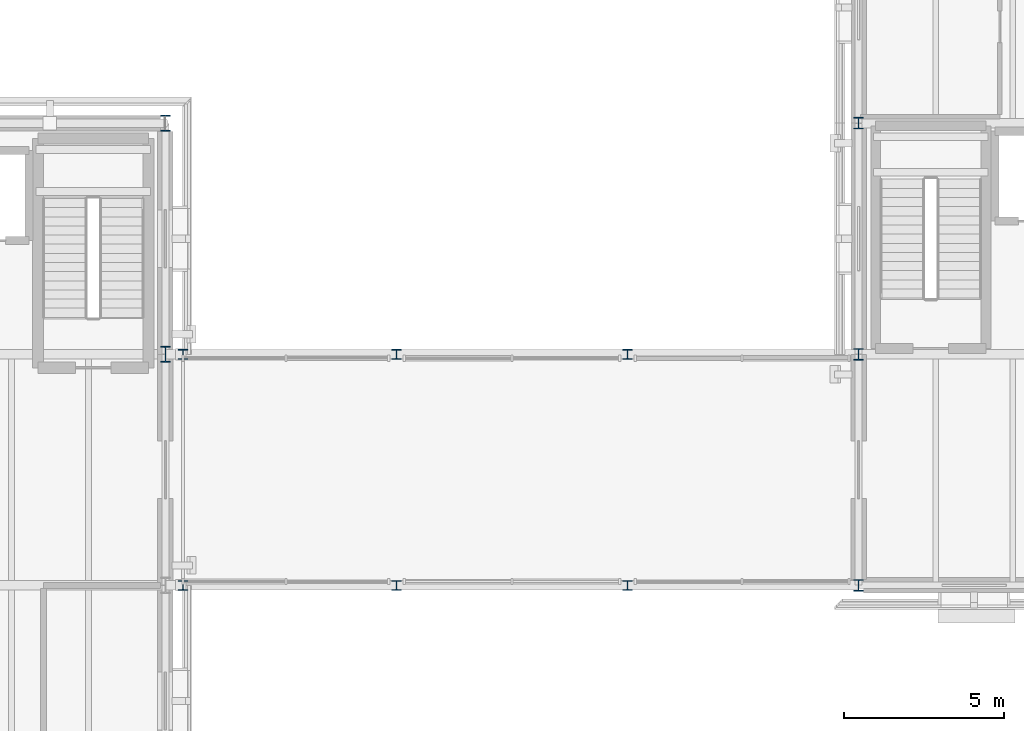
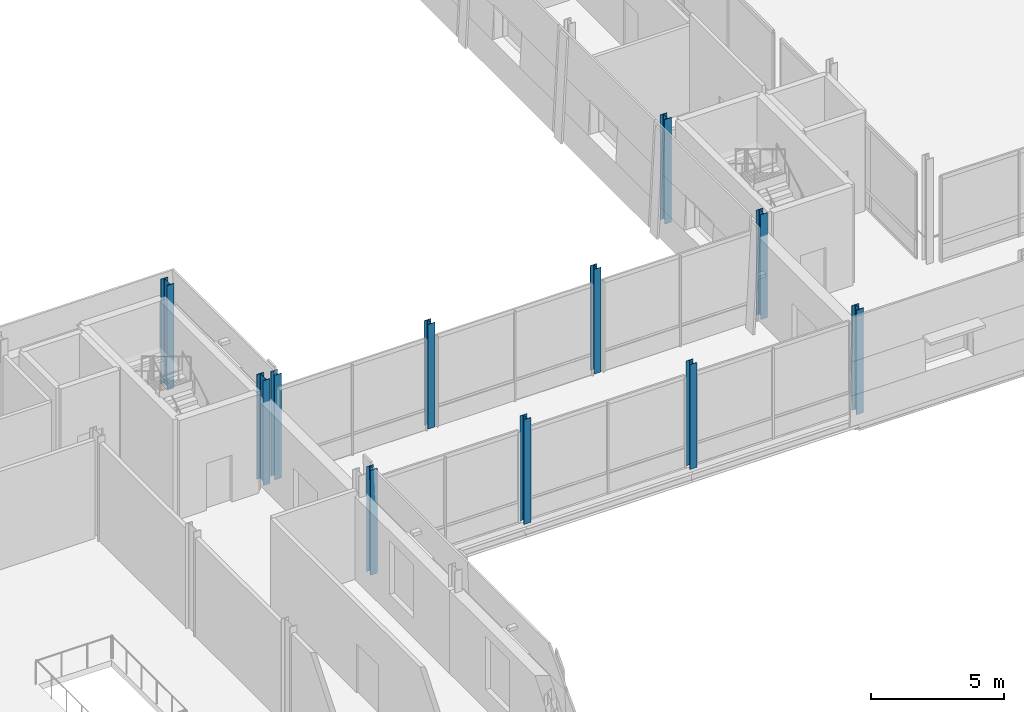
# One storey, part 13 of 121: 11 columns.
"""IFC4 building model written with IfcOpenShell, lengths in metres."""

import ifcopenshell
import ifcopenshell.guid

model = None  # the IFC model being written
_history = None  # IfcOwnerHistory: only IFC2X3 demands one
_inside = {}  # id of a spatial element -> (the spatial element, [elements in it])
_under = {}  # id of a project, library or spatial element -> (it, [spatial elements below it])
_declared = {}  # id of a project -> (the project, [libraries it declares])
_typed = {}  # id of a type object -> (the type object, [elements of that type])
_made_of = {}  # id of a material, layer set ... -> (it, [elements and type objects made of it])


def new_model(schema):
    """Start an empty IFC model of exactly this schema.

    Asked for "IFC4X3", IfcOpenShell would pick the latest addendum, in which some entities
    have other attributes; the version numbers below select the first issue.
    IFC2X3 requires an IfcOwnerHistory on every rooted entity: one is made here for all.
    """
    global model, _history
    if schema == "IFC4X3":
        model = ifcopenshell.file(schema_version=(4, 3, 0, 0))
    else:
        model = ifcopenshell.file(schema=schema)
    _inside.clear()
    _under.clear()
    _declared.clear()
    _typed.clear()
    _made_of.clear()
    _history = None
    if model.schema == "IFC2X3":
        org = make("IfcOrganization", Name="unknown")
        user = make(
            "IfcPersonAndOrganization",
            ThePerson=make("IfcPerson", FamilyName="unknown"),
            TheOrganization=org,
        )
        app = make(
            "IfcApplication",
            ApplicationDeveloper=org,
            Version="unknown",
            ApplicationFullName="unknown",
            ApplicationIdentifier="unknown",
        )
        _history = make(
            "IfcOwnerHistory",
            OwningUser=user,
            OwningApplication=app,
            ChangeAction="ADDED",
            CreationDate=0,
        )
    return model


def make(cls, **values):
    """One entity of the class cls with the attributes given. An attribute that is None is left unset."""
    return model.create_entity(
        cls, **{name: value for name, value in values.items() if value is not None}
    )


def rooted(cls, **values):
    """An entity with a GlobalId (a new one), such as an element, a storey or a relation."""
    return make(cls, GlobalId=ifcopenshell.guid.new(), OwnerHistory=_history, **values)


def si_unit(unit_type, name, prefix=None):
    """IfcSIUnit, for example si_unit("LENGTHUNIT", "METRE", prefix="MILLI")."""
    return make("IfcSIUnit", UnitType=unit_type, Prefix=prefix, Name=name)


def assignment(units):
    """IfcUnitAssignment: the units of a project."""
    return None if units is None else make("IfcUnitAssignment", Units=units)


def point(xyz):
    """IfcCartesianPoint."""
    return None if xyz is None else make("IfcCartesianPoint", Coordinates=xyz)


def direction(xyz):
    """IfcDirection."""
    return None if xyz is None else make("IfcDirection", DirectionRatios=xyz)


def frame(location, z_axis=None, x_axis=None):
    """IfcAxis2Placement3D, a coordinate frame: its origin and axes. An axis left out is left unset."""
    return make(
        "IfcAxis2Placement3D",
        Location=point(location),
        Axis=direction(z_axis),
        RefDirection=direction(x_axis),
    )


def frame_2d(location, x_axis=None):
    """IfcAxis2Placement2D, a coordinate frame in the plane: its origin and x axis."""
    return make(
        "IfcAxis2Placement2D", Location=point(location), RefDirection=direction(x_axis)
    )


def origin():
    """The frame at (0, 0, 0) with its axes left unset."""
    return frame((0.0, 0.0, 0.0))


def origin_2d():
    """The frame at (0, 0) in the plane with its x axis left unset."""
    return frame_2d((0.0, 0.0))


def place(relative_to, where):
    """IfcLocalPlacement: puts the frame where relative to a parent placement (None: the world)."""
    return make(
        "IfcLocalPlacement", PlacementRelTo=relative_to, RelativePlacement=where
    )


def context(
    kind, dimensions, precision=None, world=None, true_north=None, identifier=None
):
    """IfcGeometricRepresentationContext, for example the 3D "Model" context."""
    return make(
        "IfcGeometricRepresentationContext",
        ContextIdentifier=identifier,
        ContextType=kind,
        CoordinateSpaceDimension=dimensions,
        Precision=precision,
        WorldCoordinateSystem=world,
        TrueNorth=true_north,
    )


def subcontext(parent, identifier, kind, view, scale=None):
    """IfcGeometricRepresentationSubContext, for example "Body" below "Model"."""
    return make(
        "IfcGeometricRepresentationSubContext",
        ContextIdentifier=identifier,
        ContextType=kind,
        ParentContext=parent,
        TargetScale=scale,
        TargetView=view,
    )


def project(units=None, contexts=None):
    """IfcProject with its units and contexts."""
    return rooted(
        "IfcProject",
        Name="project",
        RepresentationContexts=contexts,
        UnitsInContext=assignment(units),
    )


def spatial(cls, under=None, at=None, **own):
    """A site, building, storey or space (cls), placed at a placement, below another one or the project."""
    s = rooted(cls, ObjectPlacement=at, **own)
    if under is not None:
        _under.setdefault(under.id(), (under, []))[1].append(s)
    return s


def profile(cls, at=None, kind="AREA", **sizes):
    """A parametric profile (cls). Its sizes go by their IFC names, for example OverallWidth=200.0."""
    return make(cls, ProfileType=kind, Position=at, **sizes)


def i_section(**sizes):
    """IfcIShapeProfileDef."""
    return profile("IfcIShapeProfileDef", **sizes)


def extrude(swept, where, along, depth):
    """IfcExtrudedAreaSolid: the profile swept, set in the frame where, extruded along a direction by depth."""
    return make(
        "IfcExtrudedAreaSolid",
        SweptArea=swept,
        Position=where,
        ExtrudedDirection=direction(along),
        Depth=depth,
    )


def shape(context_of_items, identifier, shape_type, items):
    """IfcShapeRepresentation: the items that make up one representation, for example the "Body"."""
    return make(
        "IfcShapeRepresentation",
        ContextOfItems=context_of_items,
        RepresentationIdentifier=identifier,
        RepresentationType=shape_type,
        Items=items,
    )


def material(Name=None, Category=None):
    """IfcMaterial."""
    return make("IfcMaterial", Name=Name, Category=Category)


def material_profile(
    of_material, cross_section, Name=None, Category=None, Priority=None
):
    """IfcMaterialProfile: a cross section and its material."""
    return make(
        "IfcMaterialProfile",
        Name=Name,
        Material=of_material,
        Profile=cross_section,
        Priority=Priority,
        Category=Category,
    )


def profile_set(profiles, Name=None, composite=None):
    """IfcMaterialProfileSet."""
    return make(
        "IfcMaterialProfileSet",
        Name=Name,
        MaterialProfiles=profiles,
        CompositeProfile=composite,
    )


def made_of(thing, what):
    """Note that an element or type object is made of a material, layer set ...; save() writes the relation."""
    if what is not None:
        _made_of.setdefault(what.id(), (what, []))[1].append(thing)
    return thing


def type_object(cls, material=None, **own):
    """A type object (cls), such as IfcWallType, which elements share."""
    return made_of(rooted(cls, **own), material)


def element(
    cls,
    number,
    at=None,
    inside=None,
    cuts=None,
    type_object=None,
    material=None,
    context=None,
    identifier="Body",
    shape_type=None,
    held_by="IfcProductDefinitionShape",
    body=None,
    shapes=None,
    **own,
):
    """One element of the class cls, such as IfcWall. Its Tag is "e" and its number.

    at: its placement. inside: the storey or other place that contains it. cuts: it is an
    opening in that element (IfcRelVoidsElement). A single representation is given by context,
    identifier, shape_type and body (its items); several are given by shapes. held_by: the class
    of the entity that holds the representations. save() writes the other relations.
    """
    e = rooted(cls, Tag="e%d" % number, ObjectPlacement=at, **own)
    if body is not None:
        shapes = [shape(context, identifier, shape_type, body)]
    if shapes is not None:
        e.Representation = make(held_by, Representations=shapes)
    if inside is not None:
        _inside.setdefault(inside.id(), (inside, []))[1].append(e)
    if cuts is not None:
        rooted(
            "IfcRelVoidsElement", RelatingBuildingElement=cuts, RelatedOpeningElement=e
        )
    if type_object is not None:
        _typed.setdefault(type_object.id(), (type_object, []))[1].append(e)
    return made_of(e, material)


def aggregate(whole, parts):
    """IfcRelAggregates: a whole, such as a stair, and the parts it consists of."""
    return rooted("IfcRelAggregates", RelatingObject=whole, RelatedObjects=parts)


def save(model, path):
    """Write the relations noted so far, then the file.

    IfcRelAggregates (storeys below a building ...), IfcRelContainedInSpatialStructure (elements
    in a storey), IfcRelDefinesByType, IfcRelAssociatesMaterial and IfcRelDeclares: one each for
    every whole, place, type object, material and project.
    """
    for whole, parts in _under.values():
        aggregate(whole, parts)
    for where, things in _inside.values():
        rooted(
            "IfcRelContainedInSpatialStructure",
            RelatedElements=things,
            RelatingStructure=where,
        )
    for kind, things in _typed.values():
        rooted("IfcRelDefinesByType", RelatedObjects=things, RelatingType=kind)
    for what, things in _made_of.values():
        rooted("IfcRelAssociatesMaterial", RelatedObjects=things, RelatingMaterial=what)
    for by, libraries in _declared.values():
        rooted("IfcRelDeclares", RelatingContext=by, RelatedDefinitions=libraries)
    model.write(path)


model = new_model("IFC4")

# Units and contexts
model_context = context("Model", 3, precision=1e-05, world=origin(), true_north=direction((0.0, 1.0)))
body_context = subcontext(model_context, "Body", "Model", "MODEL_VIEW")
ifc_project = project(units=[si_unit("LENGTHUNIT", "METRE"), si_unit("AREAUNIT", "SQUARE_METRE"), si_unit("VOLUMEUNIT", "CUBIC_METRE"), si_unit("PLANEANGLEUNIT", "RADIAN"), si_unit("MASSUNIT", "GRAM", prefix="KILO")], contexts=[model_context])

# Site, building, storey
site_placement = place(None, origin())
site = spatial("IfcSite", under=ifc_project, at=site_placement, CompositionType="ELEMENT")
building_placement = place(site_placement, origin())
building = spatial("IfcBuilding", under=site, at=building_placement, Name="Narikvali Park Central Library", CompositionType="ELEMENT")
storey_placement = place(building_placement, frame((0.0, 0.0, 5.39990234375)))
storey = spatial("IfcBuildingStorey", under=building, at=storey_placement, Name="L01", CompositionType="ELEMENT", Elevation=5.39990234375)

# Columns
ifc_material = material(Name="Steel S355", Category="steel")
ifc_material_profile_1 = material_profile(ifc_material, i_section(OverallWidth=0.300048828125, OverallDepth=0.300048828125, WebThickness=0.010986328125, FlangeThickness=0.01904296875, FilletRadius=0.027099609375, at=origin_2d()), Name="HEB 300")
ifc_profile_set_1 = profile_set([ifc_material_profile_1], Name="Steel S355")
column_type_1 = type_object("IfcColumnType", Name="Steel Column HEB300", PredefinedType="COLUMN", material=ifc_profile_set_1)
for number, where, z_axis, x_axis, name in (
    (1, (101.35009765625, 79.199951171875, 0.0), (0.0, 0.0, 1.0), (1.0, 0.0, 0.0), "BRG-3 Bridge Pier L01"),
    (2, (101.35009765625, 86.39990234375, 0.0), (0.0, 0.0, 1.0), (1.0, 0.0, 0.0), "BRG-3 Bridge Pier L01"),
    (3, (108.0, 79.199951171875, 0.0), (0.0, 0.0, 1.0), (1.0, 0.0, 0.0), "BRG-3 Bridge Pier L01"),
    (4, (108.0, 86.39990234375, 0.0), (0.0, 0.0, 1.0), (1.0, 0.0, 0.0), "BRG-3 Bridge Pier L01"),
    (5, (115.199951171875, 79.199951171875, 0.0), (0.0, 0.0, 1.0), (1.0, 0.0, 0.0), "BRG-3 Bridge Pier L01"),
    (6, (115.199951171875, 86.39990234375, 0.0), (0.0, 0.0, 1.0), (1.0, 0.0, 0.0), "BRG-3 Bridge Pier L01"),
):
    element("IfcColumn", number, at=place(storey_placement, frame(where, z_axis=z_axis, x_axis=x_axis)), inside=storey, type_object=column_type_1, Name=name, PredefinedType="COLUMN", context=body_context, shape_type="SweptSolid", body=[
        extrude(i_section(OverallWidth=0.300048828125, OverallDepth=0.300048828125, WebThickness=0.010986328125, FlangeThickness=0.01904296875, FilletRadius=0.027099609375, at=origin_2d()), origin(), (0.0, 0.0, 1.0), 4.800048828125),
    ])
ifc_material_profile_2 = material_profile(ifc_material, i_section(OverallWidth=0.300048828125, OverallDepth=0.360107421875, WebThickness=0.012451171875, FlangeThickness=0.0224609375, FilletRadius=0.027099609375, at=origin_2d()), Name="HEB 360")
ifc_profile_set_2 = profile_set([ifc_material_profile_2], Name="Steel S355")
column_type_2 = type_object("IfcColumnType", Name="Steel Column HEB360", PredefinedType="COLUMN", material=ifc_profile_set_2)
for number, where, z_axis, x_axis, name in (
    (7, (122.39990234375, 79.199951171875, 0.0), (0.0, 0.0, 1.0), (1.0, 0.0, 0.0), "V3 L01 Column (122.4,79.2)"),
    (8, (122.39990234375, 86.39990234375, 0.0), (0.0, 0.0, 1.0), (1.0, 0.0, 0.0), "V3 L01 Column (122.4,86.4)"),
    (9, (122.39990234375, 93.60009765625, 0.0), (0.0, 0.0, 1.0), (1.0, 0.0, 0.0), "V3 L01 Column (122.4,93.6)"),
):
    element("IfcColumn", number, at=place(storey_placement, frame(where, z_axis=z_axis, x_axis=x_axis)), inside=storey, type_object=column_type_2, Name=name, PredefinedType="COLUMN", context=body_context, shape_type="SweptSolid", body=[
        extrude(i_section(OverallWidth=0.300048828125, OverallDepth=0.360107421875, WebThickness=0.012451171875, FlangeThickness=0.0224609375, FilletRadius=0.027099609375, at=origin_2d()), origin(), (0.0, 0.0, 1.0), 4.800048828125),
    ])
ifc_material_profile_3 = material_profile(ifc_material, i_section(OverallWidth=0.300048828125, OverallDepth=0.5, WebThickness=0.014404296875, FlangeThickness=0.028076171875, FilletRadius=0.027099609375, at=origin_2d()), Name="HEB 500")
ifc_profile_set_3 = profile_set([ifc_material_profile_3], Name="Steel S355")
column_type_3 = type_object("IfcColumnType", Name="Steel Column HEB500", PredefinedType="COLUMN", material=ifc_profile_set_3)
for number, where, z_axis, x_axis, name in (
    (10, (100.800048828125, 86.39990234375, 0.0), (0.0, 0.0, 1.0), (1.0, 0.0, 0.0), "V1 L01 Column (100.8,86.4)"),
    (11, (100.800048828125, 93.60009765625, 0.0), (0.0, 0.0, 1.0), (1.0, 0.0, 0.0), "V1 L01 Column (100.8,93.6)"),
):
    element("IfcColumn", number, at=place(storey_placement, frame(where, z_axis=z_axis, x_axis=x_axis)), inside=storey, type_object=column_type_3, Name=name, PredefinedType="COLUMN", context=body_context, shape_type="SweptSolid", body=[
        extrude(i_section(OverallWidth=0.300048828125, OverallDepth=0.5, WebThickness=0.014404296875, FlangeThickness=0.028076171875, FilletRadius=0.027099609375, at=origin_2d()), origin(), (0.0, 0.0, 1.0), 4.800048828125),
    ])

save(model, "model.ifc")
